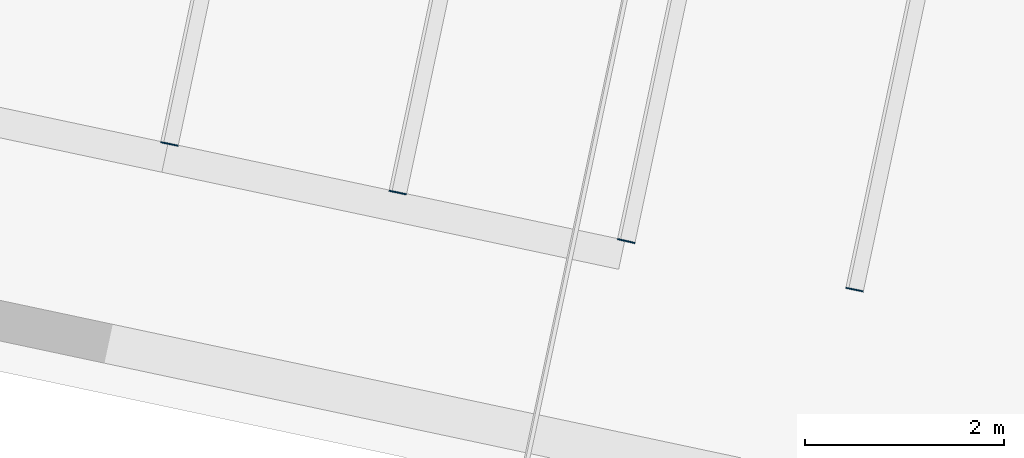
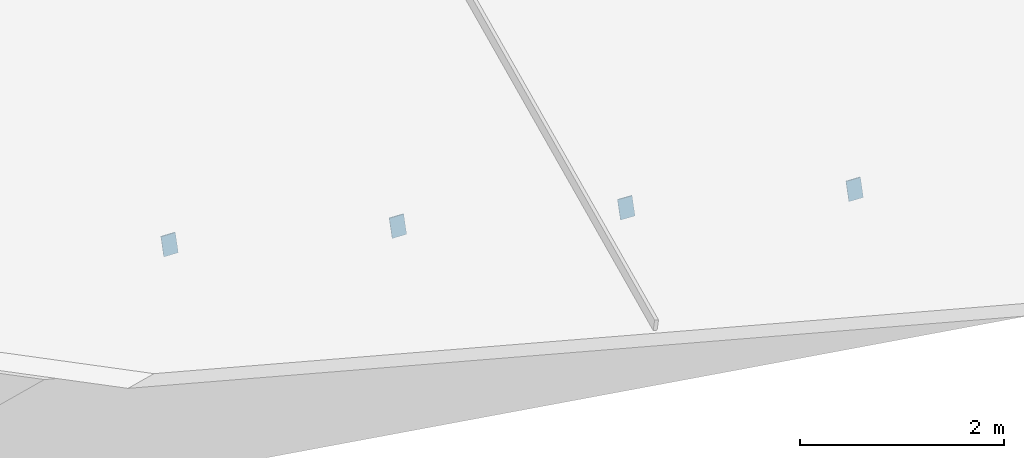
# One storey, part 147 of 196: 4 discrete accessories.
"""IFC4 building model written with IfcOpenShell, lengths in metres."""

from ifc_helpers import new_model, si_unit, direction, frame, origin, origin_2d, place, context, subcontext, project, spatial, rectangle, extrude, material, layer, layer_set, type_object, element, save


model = new_model("IFC4")

# Units and contexts
model_context = context("Model", 3, precision=1e-05, world=origin(), true_north=direction((0.0, 1.0)))
body_context = subcontext(model_context, "Body", "Model", "MODEL_VIEW")
ifc_project = project(units=[si_unit("LENGTHUNIT", "METRE"), si_unit("AREAUNIT", "SQUARE_METRE"), si_unit("VOLUMEUNIT", "CUBIC_METRE"), si_unit("PLANEANGLEUNIT", "RADIAN"), si_unit("MASSUNIT", "GRAM", prefix="KILO")], contexts=[model_context])

# Site, building, storey
site_placement = place(None, origin())
site = spatial("IfcSite", under=ifc_project, at=site_placement, CompositionType="ELEMENT")
building_placement = place(site_placement, origin())
building = spatial("IfcBuilding", under=site, at=building_placement, Name="Okhra Congress Centre", CompositionType="ELEMENT")
storey_placement = place(building_placement, frame((0.0, 0.0, 12.0)))
storey = spatial("IfcBuildingStorey", under=building, at=storey_placement, Name="L02", CompositionType="ELEMENT", Elevation=12.0)

# Discrete accessories
ifc_material = material(Name="Steel S355J2", Category="steel")
ifc_layer = layer(ifc_material, 0.011962890625)
ifc_layer_set = layer_set([ifc_layer], Name="Hollow section end cap 12 mm S355")
discrete_accessory_type = type_object("IfcDiscreteAccessoryType", Name="Hollow section end cap 12 mm S355", PredefinedType="BRACKET", material=ifc_layer_set)
discrete_accessory_placement = place(storey_placement, frame((245.986572265625, 86.042236328125, 1.0771484375), z_axis=(-0.199960011996, -0.97980405878, 0.0), x_axis=(0.972500747905, -0.198469540389, 0.121869343405)))
element("IfcDiscreteAccessory", 1, at=discrete_accessory_placement, inside=storey, type_object=discrete_accessory_type, Name="Hollow section end cap", PredefinedType="BRACKET", context=body_context, shape_type="SweptSolid", body=[
    extrude(rectangle(XDim=0.14990234375, YDim=0.25, at=origin_2d()), origin(), (0.0, 0.0, 1.0), 0.01220703125),
])
for number, where, z_axis, x_axis, name in (
    (2, (248.28515625, 85.553466796875, 0.78857421875), (-0.203954254112, -0.978980419738, 0.0), (0.971683248143, -0.20243401003, 0.121869343405), "Hollow section end cap"),
    (3, (250.583984375, 85.06494140625, 0.5), (-0.223376156329, -0.974732318528, 0.0), (0.967466811636, -0.221711144333, 0.121869343405), "Hollow section end cap"),
    (4, (252.882568359375, 84.576416015625, 0.21142578125), (-0.203954254112, -0.978980419738, 0.0), (0.971683248143, -0.20243401003, 0.121869343405), "Hollow section end cap"),
):
    element("IfcDiscreteAccessory", number, at=place(storey_placement, frame(where, z_axis=z_axis, x_axis=x_axis)), inside=storey, type_object=discrete_accessory_type, Name=name, PredefinedType="BRACKET", context=body_context, shape_type="SweptSolid", body=[
        extrude(rectangle(XDim=0.14990234375, YDim=0.25, at=origin_2d()), origin(), (0.0, 0.0, 1.0), 0.011962890625),
    ])

save(model, "model.ifc")
